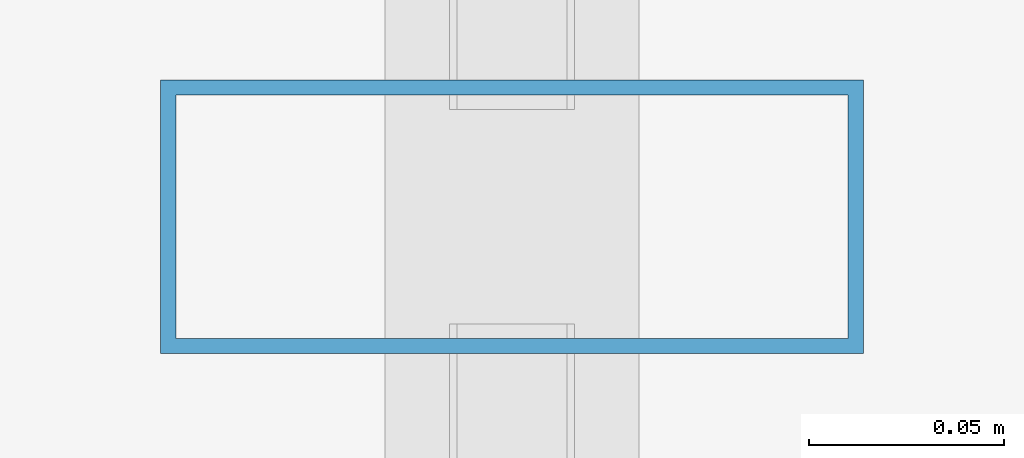
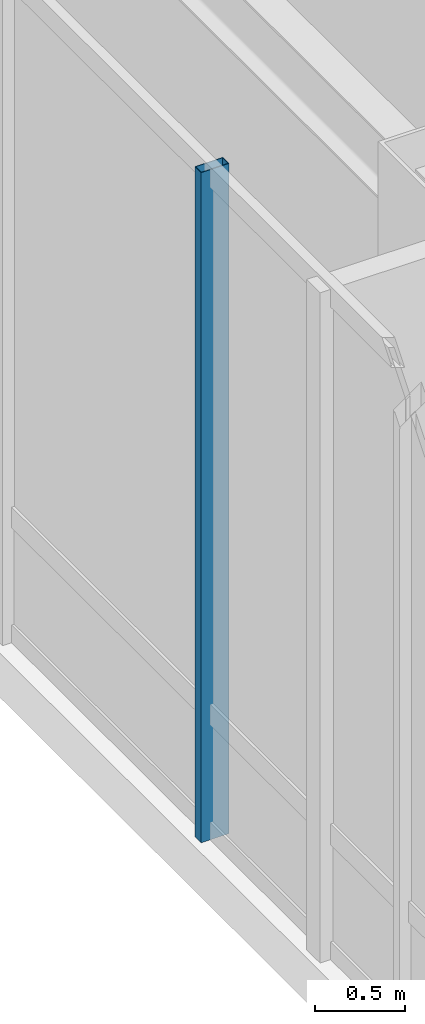
# One storey, part 6 of 21: 1 member, 1 element without a shape of its own.
"""IFC4 building model written with IfcOpenShell, lengths in metres."""

from ifc_helpers import new_model, si_unit, direction, frame, origin, origin_2d, place, context, subcontext, project, spatial, hollow_rectangle, extrude, material, layer, layer_set, material_profile, profile_set, type_object, element, aggregate, save


model = new_model("IFC4")

# Units and contexts
model_context = context("Model", 3, precision=1e-05, world=origin(), true_north=direction((0.0, 1.0)))
body_context = subcontext(model_context, "Body", "Model", "MODEL_VIEW")
ifc_project = project(units=[si_unit("LENGTHUNIT", "METRE"), si_unit("AREAUNIT", "SQUARE_METRE"), si_unit("VOLUMEUNIT", "CUBIC_METRE"), si_unit("PLANEANGLEUNIT", "RADIAN"), si_unit("MASSUNIT", "GRAM", prefix="KILO")], contexts=[model_context])

# Site, building, storey
site_placement = place(None, origin())
site = spatial("IfcSite", under=ifc_project, at=site_placement, CompositionType="ELEMENT")
building_placement = place(site_placement, origin())
building = spatial("IfcBuilding", under=site, at=building_placement, Name="Hatsunagi Terrace Concourse", CompositionType="ELEMENT")
storey_placement = place(building_placement, frame((0.0, 0.0, 234.75)))
storey = spatial("IfcBuildingStorey", under=building, at=storey_placement, Name="L62", CompositionType="ELEMENT", Elevation=234.75)

# Curtain wall, member
ifc_material_1 = material(Name="Anodised Aluminium Alloy 6063-T5", Category="aluminium")
ifc_layer = layer(ifc_material_1, 0.199951171875)
ifc_layer_set = layer_set([ifc_layer], Name="OfficeZone2_CW04")
curtain_wall_type = type_object("IfcCurtainWallType", Name="OfficeZone2_CW04", PredefinedType="NOTDEFINED", material=ifc_layer_set)
curtain_wall_placement = place(storey_placement, origin())
curtain_wall = element("IfcCurtainWall", 1, at=curtain_wall_placement, inside=storey, type_object=curtain_wall_type, Name="Unitised Curtain Wall CW-04 CW-L62-08", PredefinedType="NOTDEFINED")
ifc_material_2 = material(Name="Anodised Aluminium Alloy 6063-T5", Category="aluminium")
ifc_material_profile = material_profile(ifc_material_2, hollow_rectangle(XDim=0.070068359375, YDim=0.179931640625, WallThickness=0.00390625, at=origin_2d()), Name="ALU-MUL-180x70x4")
ifc_profile_set = profile_set([ifc_material_profile], Name="Anodised Aluminium Alloy 6063-T5")
member_type = type_object("IfcMemberType", Name="CurtainWallMullion_180x70", PredefinedType="MULLION", material=ifc_profile_set)
member_placement = place(storey_placement, frame((18.139892578125, 36.89990234375, 0.0), z_axis=(0.0, 0.0, 1.0), x_axis=(0.0, 1.0, 0.0)))
member = element("IfcMember", 2, at=member_placement, type_object=member_type, Name="Curtain Wall Mullion MUL-02", PredefinedType="MULLION", context=body_context, shape_type="SweptSolid", body=[
    extrude(hollow_rectangle(XDim=0.070068359375, YDim=0.179931640625, WallThickness=0.00390625, at=origin_2d()), origin(), (0.0, 0.0, 1.0), 4.550048828125),
])
aggregate(curtain_wall, [member])

save(model, "model.ifc")
